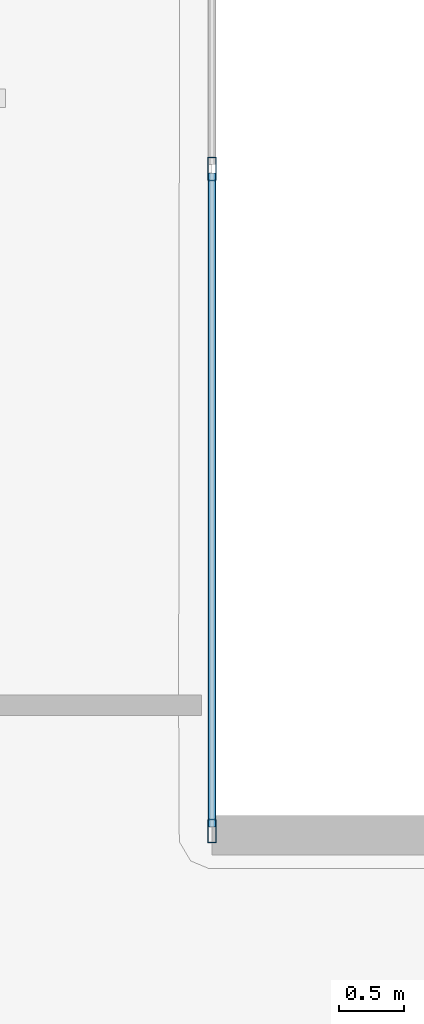
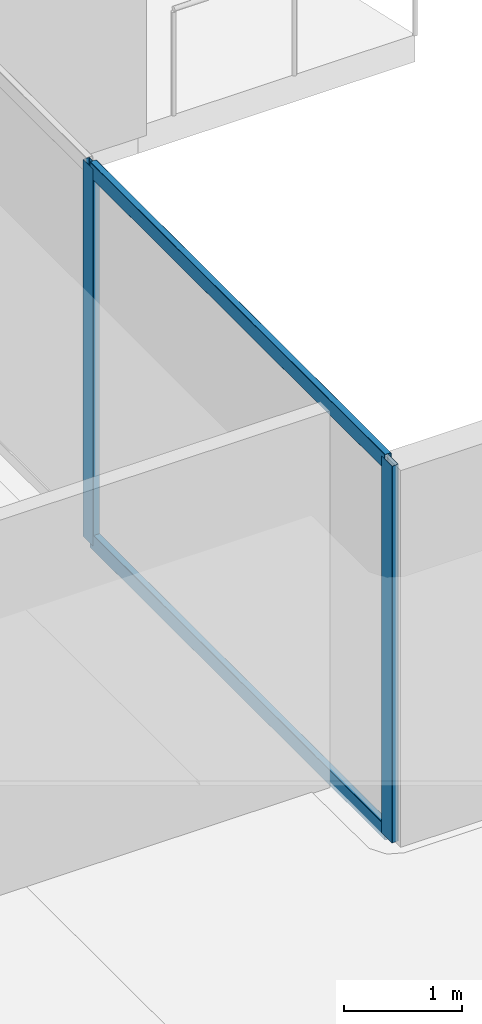
# One storey, part 13 of 45: 4 members, 1 element without a shape of its own.
"""IFC4 building model written with IfcOpenShell, lengths in metres."""

from ifc_helpers import new_model, si_unit, direction, frame, origin, origin_2d, place, context, subcontext, project, spatial, hollow_rectangle, extrude, material, layer, layer_set, material_profile, profile_set, type_object, element, aggregate, save


model = new_model("IFC4")

# Units and contexts
model_context = context("Model", 3, precision=1e-05, world=origin(), true_north=direction((0.0, 1.0)))
body_context = subcontext(model_context, "Body", "Model", "MODEL_VIEW")
ifc_project = project(units=[si_unit("LENGTHUNIT", "METRE"), si_unit("AREAUNIT", "SQUARE_METRE"), si_unit("VOLUMEUNIT", "CUBIC_METRE"), si_unit("PLANEANGLEUNIT", "RADIAN"), si_unit("MASSUNIT", "GRAM", prefix="KILO")], contexts=[model_context])

# Site, building, storey
site_placement = place(None, origin())
site = spatial("IfcSite", under=ifc_project, at=site_placement, CompositionType="ELEMENT")
building_placement = place(site_placement, origin())
building = spatial("IfcBuilding", under=site, at=building_placement, Name="Qorvath Tower", CompositionType="ELEMENT")
storey_placement = place(building_placement, frame((0.0, 0.0, 95.39990234375)))
storey = spatial("IfcBuildingStorey", under=building, at=storey_placement, Name="L21", CompositionType="ELEMENT", Elevation=95.39990234375)

# Curtain wall, members
ifc_material_1 = material(Name="Anodised aluminium and triple low-E glass", Category="aluminium")
ifc_layer = layer(ifc_material_1, 0.179931640625)
ifc_layer_set = layer_set([ifc_layer], Name="CW-SYS-2")
curtain_wall_type = type_object("IfcCurtainWallType", Name="CW-SYS-2", PredefinedType="NOTDEFINED", material=ifc_layer_set)
curtain_wall_placement = place(storey_placement, origin())
curtain_wall = element("IfcCurtainWall", 1, at=curtain_wall_placement, inside=storey, type_object=curtain_wall_type, Name="Curtain Wall CW-2 CW-T-L21-9.1", PredefinedType="NOTDEFINED")
ifc_material_2 = material(Name="Anodised aluminium 6063-T6", Category="aluminium")
ifc_material_profile_1 = material_profile(ifc_material_2, hollow_rectangle(XDim=0.06494140625, YDim=0.179931640625, WallThickness=0.00341796875, InnerFilletRadius=0.00341796875, OuterFilletRadius=0.007080078125, at=origin_2d()), Name="CWM 180x65")
ifc_profile_set_1 = profile_set([ifc_material_profile_1], Name="Anodised aluminium 6063-T6")
member_type_1 = type_object("IfcMemberType", Name="CWM-180", PredefinedType="MULLION", material=ifc_profile_set_1)
member_1_placement = place(storey_placement, frame((2.17236328125, -5.065185546875, 0.0), z_axis=(0.0, 0.0, 1.0), x_axis=(-1.0, 0.0, 0.0)))
member_1 = element("IfcMember", 2, at=member_1_placement, type_object=member_type_1, Name="CW-2 mullion 1", PredefinedType="MULLION", context=body_context, shape_type="SweptSolid", body=[
    extrude(hollow_rectangle(XDim=0.06494140625, YDim=0.179931640625, WallThickness=0.00341796875, InnerFilletRadius=0.00341796875, OuterFilletRadius=0.007080078125, at=origin_2d()), origin(), (0.0, 0.0, 1.0), 3.900146484375),
])
member_2_placement = place(storey_placement, frame((2.17236328125, 0.0, 0.0), z_axis=(0.0, 0.0, 1.0), x_axis=(-1.0, 0.0, 0.0)))
member_2 = element("IfcMember", 3, at=member_2_placement, type_object=member_type_1, Name="CW-2 mullion 2", PredefinedType="MULLION", context=body_context, shape_type="SweptSolid", body=[
    extrude(hollow_rectangle(XDim=0.06494140625, YDim=0.179931640625, WallThickness=0.00341796875, InnerFilletRadius=0.00341796875, OuterFilletRadius=0.007080078125, at=origin_2d()), origin(), (0.0, 0.0, 1.0), 3.900146484375),
])
ifc_material_3 = material(Name="Anodised aluminium 6063-T6", Category="aluminium")
ifc_material_profile_2 = material_profile(ifc_material_3, hollow_rectangle(XDim=0.06494140625, YDim=0.159912109375, WallThickness=0.00341796875, InnerFilletRadius=0.00341796875, OuterFilletRadius=0.007080078125, at=origin_2d()), Name="CWT 160x65")
ifc_profile_set_2 = profile_set([ifc_material_profile_2], Name="Anodised aluminium 6063-T6")
member_type_2 = type_object("IfcMemberType", Name="CWT-160", PredefinedType="USERDEFINED", material=ifc_profile_set_2)
member_3_placement = place(storey_placement, frame((2.17236328125, -5.03271484375, 0.032470703125), z_axis=(0.0, 1.0, 0.0), x_axis=(-1.0, 0.0, 0.0)))
member_3 = element("IfcMember", 4, at=member_3_placement, type_object=member_type_2, Name="CW-2 transom 1.1", ObjectType="TRANSOM", PredefinedType="USERDEFINED", context=body_context, shape_type="SweptSolid", body=[
    extrude(hollow_rectangle(XDim=0.06494140625, YDim=0.159912109375, WallThickness=0.00341796875, InnerFilletRadius=0.00341796875, OuterFilletRadius=0.007080078125, at=origin_2d()), origin(), (0.0, 0.0, 1.0), 5.000244140625),
])
member_4_placement = place(storey_placement, frame((2.17236328125, -5.03271484375, 3.86767578125), z_axis=(0.0, 1.0, 0.0), x_axis=(-1.0, 0.0, 0.0)))
member_4 = element("IfcMember", 5, at=member_4_placement, type_object=member_type_2, Name="CW-2 transom 1.2", ObjectType="TRANSOM", PredefinedType="USERDEFINED", context=body_context, shape_type="SweptSolid", body=[
    extrude(hollow_rectangle(XDim=0.06494140625, YDim=0.159912109375, WallThickness=0.00341796875, InnerFilletRadius=0.00341796875, OuterFilletRadius=0.007080078125, at=origin_2d()), origin(), (0.0, 0.0, 1.0), 5.000244140625),
])
aggregate(curtain_wall, [member_1, member_2, member_3, member_4])

save(model, "model.ifc")
